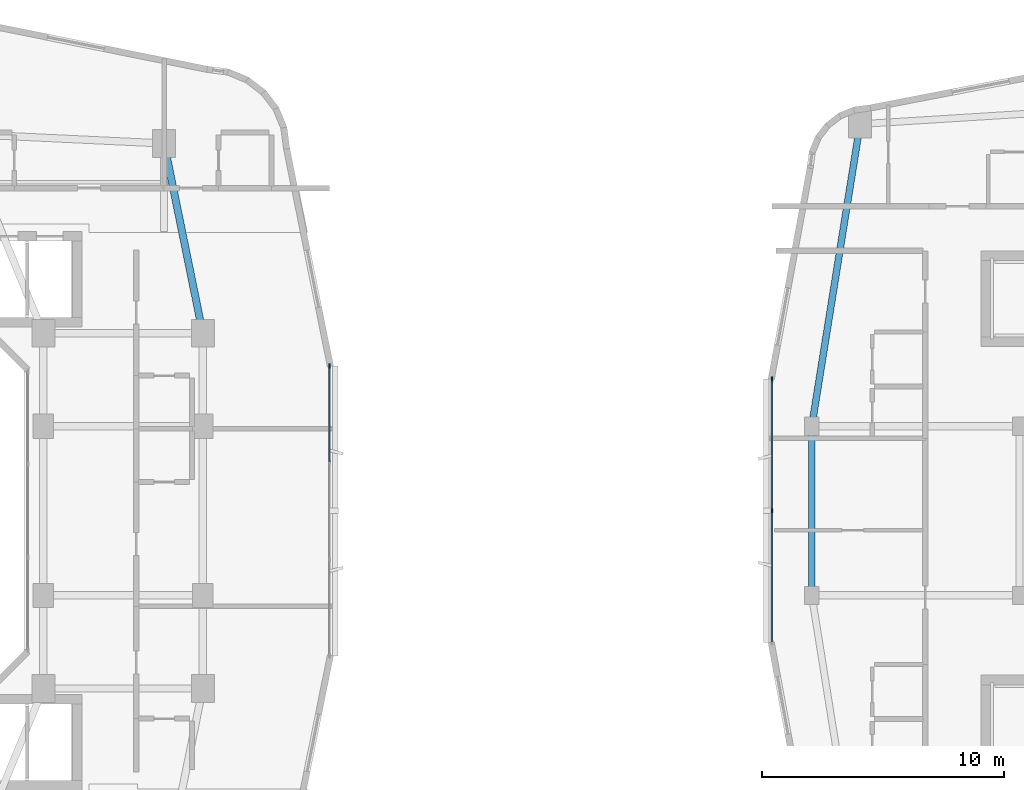
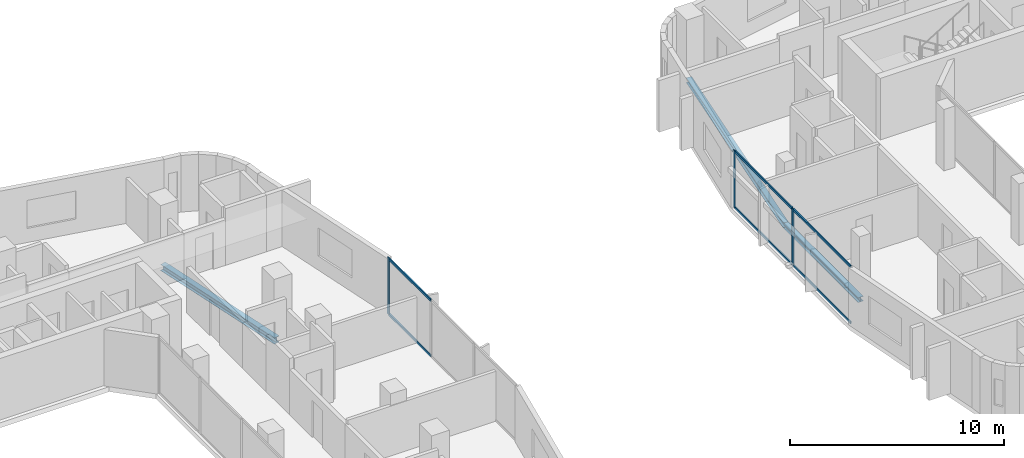
# One storey, part 6 of 26: 9 members, 3 beams, 2 elements without a shape of their own.
"""IFC4 building model written with IfcOpenShell, lengths in metres."""

from ifc_helpers import new_model, si_unit, derived_unit, direction, frame, origin, origin_2d, place, context, subcontext, project, spatial, rectangle, i_section, extrude, material, layer, layer_set, material_profile, profile_set, type_object, element, aggregate, save


model = new_model("IFC4")

# Units and contexts
model_context = context("Model", 3, precision=1e-05, world=origin(), true_north=direction((0.0, 1.0)))
body_context = subcontext(model_context, "Body", "Model", "MODEL_VIEW")
ifc_project = project(units=[si_unit("LENGTHUNIT", "METRE"), si_unit("AREAUNIT", "SQUARE_METRE"), si_unit("VOLUMEUNIT", "CUBIC_METRE"), si_unit("PLANEANGLEUNIT", "RADIAN"), si_unit("MASSUNIT", "GRAM", prefix="KILO"), derived_unit("THERMALTRANSMITTANCEUNIT", [(si_unit("POWERUNIT", "WATT"), 1), (si_unit("LENGTHUNIT", "METRE"), -2), (si_unit("THERMODYNAMICTEMPERATUREUNIT", "KELVIN"), -1)])], contexts=[model_context])

# Site, building, storey
site_placement = place(None, origin())
site = spatial("IfcSite", under=ifc_project, at=site_placement, CompositionType="ELEMENT")
building_placement = place(site_placement, origin())
building = spatial("IfcBuilding", under=site, at=building_placement, Name="Kivonza Crest Hotel", CompositionType="ELEMENT")
storey_placement = place(building_placement, frame((0.0, 0.0, 98.5)))
storey = spatial("IfcBuildingStorey", under=building, at=storey_placement, Name="L26", CompositionType="ELEMENT", Elevation=98.5)

# Beams
ifc_material_1 = material(Name="Steel S355", Category="steel")
ifc_material_profile_1 = material_profile(ifc_material_1, i_section(OverallWidth=0.280029296875, OverallDepth=0.280029296875, WebThickness=0.010498046875, FlangeThickness=0.01806640625, FilletRadius=0.02392578125, at=origin_2d()), Name="HEB 280")
ifc_profile_set_1 = profile_set([ifc_material_profile_1], Name="Steel S355")
beam_type_1 = type_object("IfcBeamType", Name="BM-HEB280", PredefinedType="SPANDREL", material=ifc_profile_set_1)
beam_1_placement = place(storey_placement, frame((63.0, 41.0, -0.389892578125), z_axis=(-0.157990501107, -0.987440631917, 0.0), x_axis=(0.987440631917, -0.157990501107, 0.0)))
element("IfcBeam", 1, at=beam_1_placement, inside=storey, type_object=beam_type_1, Name="Companion Tower T2 L26 perimeter spandrel NW-W2", PredefinedType="SPANDREL", context=body_context, shape_type="SweptSolid", body=[
    extrude(i_section(OverallWidth=0.280029296875, OverallDepth=0.280029296875, WebThickness=0.010498046875, FlangeThickness=0.01806640625, FilletRadius=0.02392578125, at=origin_2d()), origin(), (0.0, 0.0, 1.0), 12.658935546875),
])
beam_2_placement = place(storey_placement, frame((61.0, 28.5, -0.389892578125), z_axis=(0.0, -1.0, 0.0), x_axis=(1.0, 0.0, 0.0)))
element("IfcBeam", 2, at=beam_2_placement, inside=storey, type_object=beam_type_1, Name="Companion Tower T2 L26 perimeter spandrel W2-W1", PredefinedType="SPANDREL", context=body_context, shape_type="SweptSolid", body=[
    extrude(i_section(OverallWidth=0.280029296875, OverallDepth=0.280029296875, WebThickness=0.010498046875, FlangeThickness=0.01806640625, FilletRadius=0.02392578125, at=origin_2d()), origin(), (0.0, 0.0, 1.0), 7.0),
])
ifc_material_profile_2 = material_profile(ifc_material_1, i_section(OverallWidth=0.300048828125, OverallDepth=0.360107421875, WebThickness=0.012451171875, FlangeThickness=0.0224609375, FilletRadius=0.027099609375, at=origin_2d()), Name="HEB 360")
ifc_profile_set_2 = profile_set([ifc_material_profile_2], Name="Steel S355")
beam_type_2 = type_object("IfcBeamType", Name="BM-HEB360", PredefinedType="SPANDREL", material=ifc_profile_set_2)
beam_3_placement = place(storey_placement, frame((35.800048828125, 32.35009765625, -0.4599609375), z_axis=(-0.199730733965, 0.979850822273, 0.0), x_axis=(-0.979850822273, -0.199730733965, 0.0)))
element("IfcBeam", 3, at=beam_3_placement, inside=storey, type_object=beam_type_2, Name="Tower T1 L26 perimeter spandrel PNE-NE", PredefinedType="SPANDREL", context=body_context, shape_type="SweptSolid", body=[
    extrude(i_section(OverallWidth=0.300048828125, OverallDepth=0.360107421875, WebThickness=0.012451171875, FlangeThickness=0.0224609375, FilletRadius=0.027099609375, at=origin_2d()), origin(), (0.0, 0.0, 1.0), 8.01123046875),
])

# Curtain wall, member
ifc_material_2 = material(Name="Anodised bronze aluminium and low-E double glazing", Category="aluminium")
ifc_layer_1 = layer(ifc_material_2, 0.179931640625)
ifc_layer_set_1 = layer_set([ifc_layer_1], Name="Anodised bronze aluminium and low-E double glazing")
curtain_wall_type_1 = type_object("IfcCurtainWallType", Name="CW-SYS-2", PredefinedType="NOTDEFINED", material=ifc_layer_set_1)
curtain_wall_1_placement = place(storey_placement, origin())
curtain_wall_1 = element("IfcCurtainWall", 4, at=curtain_wall_1_placement, inside=storey, type_object=curtain_wall_type_1, Name="L26 unitised curtain wall CW-T1-L26-17", PredefinedType="NOTDEFINED")
ifc_material_3 = material(Name="Anodised bronze aluminium", Category="aluminium")
ifc_material_profile_3 = material_profile(ifc_material_3, rectangle(XDim=0.06494140625, YDim=0.179931640625, at=origin_2d()), Name="CW-M 65x180")
ifc_profile_set_3 = profile_set([ifc_material_profile_3], Name="Anodised bronze aluminium")
member_type_1 = type_object("IfcMemberType", Name="CW-MUL-65x180", PredefinedType="MULLION", material=ifc_profile_set_3)
member_1_placement = place(storey_placement, frame((41.0400390625, 30.987548828125, 0.0), z_axis=(0.0, 0.0, 1.0), x_axis=(-1.0, 0.0, 0.0)))
member_1 = element("IfcMember", 5, at=member_1_placement, type_object=member_type_1, Name="CW-2 mullion 4", PredefinedType="MULLION", context=body_context, shape_type="SweptSolid", body=[
    extrude(rectangle(XDim=0.06494140625, YDim=0.179931640625, at=origin_2d()), origin(), (0.0, 0.0, 1.0), 3.219970703125),
])

# Curtain wall, members
ifc_layer_2 = layer(ifc_material_2, 0.179931640625)
ifc_layer_set_2 = layer_set([ifc_layer_2], Name="Anodised bronze aluminium and low-E double glazing")
curtain_wall_type_2 = type_object("IfcCurtainWallType", Name="CW-SYS-4", PredefinedType="NOTDEFINED", material=ifc_layer_set_2)
curtain_wall_2_placement = place(storey_placement, origin())
curtain_wall_2 = element("IfcCurtainWall", 6, at=curtain_wall_2_placement, inside=storey, type_object=curtain_wall_type_2, Name="L26 unitised curtain wall CW-T2-L26-35", PredefinedType="NOTDEFINED")
member_2_placement = place(storey_placement, frame((59.360107421875, 30.447509765625, 0.0), z_axis=(0.0, 0.0, 1.0), x_axis=(1.0, 0.0, 0.0)))
member_2 = element("IfcMember", 7, at=member_2_placement, type_object=member_type_1, Name="CW-4 mullion 1", PredefinedType="MULLION", context=body_context, shape_type="SweptSolid", body=[
    extrude(rectangle(XDim=0.06494140625, YDim=0.179931640625, at=origin_2d()), origin(), (0.0, 0.0, 1.0), 3.25),
])
member_3_placement = place(storey_placement, frame((59.360107421875, 25.0, 0.0), z_axis=(0.0, 0.0, 1.0), x_axis=(1.0, 0.0, 0.0)))
member_3 = element("IfcMember", 8, at=member_3_placement, type_object=member_type_1, Name="CW-4 mullion 2", PredefinedType="MULLION", context=body_context, shape_type="SweptSolid", body=[
    extrude(rectangle(XDim=0.06494140625, YDim=0.179931640625, at=origin_2d()), origin(), (0.0, 0.0, 1.0), 3.25),
])

# Member
ifc_material_profile_4 = material_profile(ifc_material_3, rectangle(XDim=0.06494140625, YDim=0.139892578125, at=origin_2d()), Name="CW-T 65x140")
ifc_profile_set_4 = profile_set([ifc_material_profile_4], Name="Anodised bronze aluminium")
member_type_2 = type_object("IfcMemberType", Name="CW-TRN-65x140", PredefinedType="USERDEFINED", material=ifc_profile_set_4)
member_4_placement = place(storey_placement, frame((41.0400390625, 27.0390625, 0.032470703125), z_axis=(0.0, 1.0, 0.0), x_axis=(-1.0, 0.0, 0.0)))
member_4 = element("IfcMember", 9, at=member_4_placement, type_object=member_type_2, Name="CW-2 transom 3.1", ObjectType="TRANSOM", PredefinedType="USERDEFINED", context=body_context, shape_type="SweptSolid", body=[
    extrude(rectangle(XDim=0.06494140625, YDim=0.139892578125, at=origin_2d()), origin(), (0.0, 0.0, 1.0), 3.916015625),
])

member_5_placement = place(storey_placement, frame((41.0400390625, 27.0390625, 3.1875), z_axis=(0.0, 1.0, 0.0), x_axis=(-1.0, 0.0, 0.0)))
member_5 = element("IfcMember", 10, at=member_5_placement, type_object=member_type_2, Name="CW-2 transom 3.2", ObjectType="TRANSOM", PredefinedType="USERDEFINED", context=body_context, shape_type="SweptSolid", body=[
    extrude(rectangle(XDim=0.06494140625, YDim=0.139892578125, at=origin_2d()), origin(), (0.0, 0.0, 1.0), 3.916015625),
])

aggregate(curtain_wall_1, [member_1, member_4, member_5])

member_6_placement = place(storey_placement, frame((59.360107421875, 30.4150390625, 0.032470703125), z_axis=(0.0, -1.0, 0.0), x_axis=(1.0, 0.0, 0.0)))
member_6 = element("IfcMember", 11, at=member_6_placement, type_object=member_type_2, Name="CW-4 transom 1.1", ObjectType="TRANSOM", PredefinedType="USERDEFINED", context=body_context, shape_type="SweptSolid", body=[
    extrude(rectangle(XDim=0.06494140625, YDim=0.139892578125, at=origin_2d()), origin(), (0.0, 0.0, 1.0), 5.382568359375),
])

member_7_placement = place(storey_placement, frame((59.360107421875, 30.4150390625, 3.217529296875), z_axis=(0.0, -1.0, 0.0), x_axis=(1.0, 0.0, 0.0)))
member_7 = element("IfcMember", 12, at=member_7_placement, type_object=member_type_2, Name="CW-4 transom 1.2", ObjectType="TRANSOM", PredefinedType="USERDEFINED", context=body_context, shape_type="SweptSolid", body=[
    extrude(rectangle(XDim=0.06494140625, YDim=0.139892578125, at=origin_2d()), origin(), (0.0, 0.0, 1.0), 5.382568359375),
])

member_8_placement = place(storey_placement, frame((59.360107421875, 24.967529296875, 0.032470703125), z_axis=(0.0, -1.0, 0.0), x_axis=(1.0, 0.0, 0.0)))
member_8 = element("IfcMember", 13, at=member_8_placement, type_object=member_type_2, Name="CW-4 transom 2.1", ObjectType="TRANSOM", PredefinedType="USERDEFINED", context=body_context, shape_type="SweptSolid", body=[
    extrude(rectangle(XDim=0.06494140625, YDim=0.139892578125, at=origin_2d()), origin(), (0.0, 0.0, 1.0), 5.382568359375),
])

member_9_placement = place(storey_placement, frame((59.360107421875, 24.967529296875, 3.217529296875), z_axis=(0.0, -1.0, 0.0), x_axis=(1.0, 0.0, 0.0)))
member_9 = element("IfcMember", 14, at=member_9_placement, type_object=member_type_2, Name="CW-4 transom 2.2", ObjectType="TRANSOM", PredefinedType="USERDEFINED", context=body_context, shape_type="SweptSolid", body=[
    extrude(rectangle(XDim=0.06494140625, YDim=0.139892578125, at=origin_2d()), origin(), (0.0, 0.0, 1.0), 5.382568359375),
])

aggregate(curtain_wall_2, [member_2, member_3, member_6, member_7, member_8, member_9])

save(model, "model.ifc")
